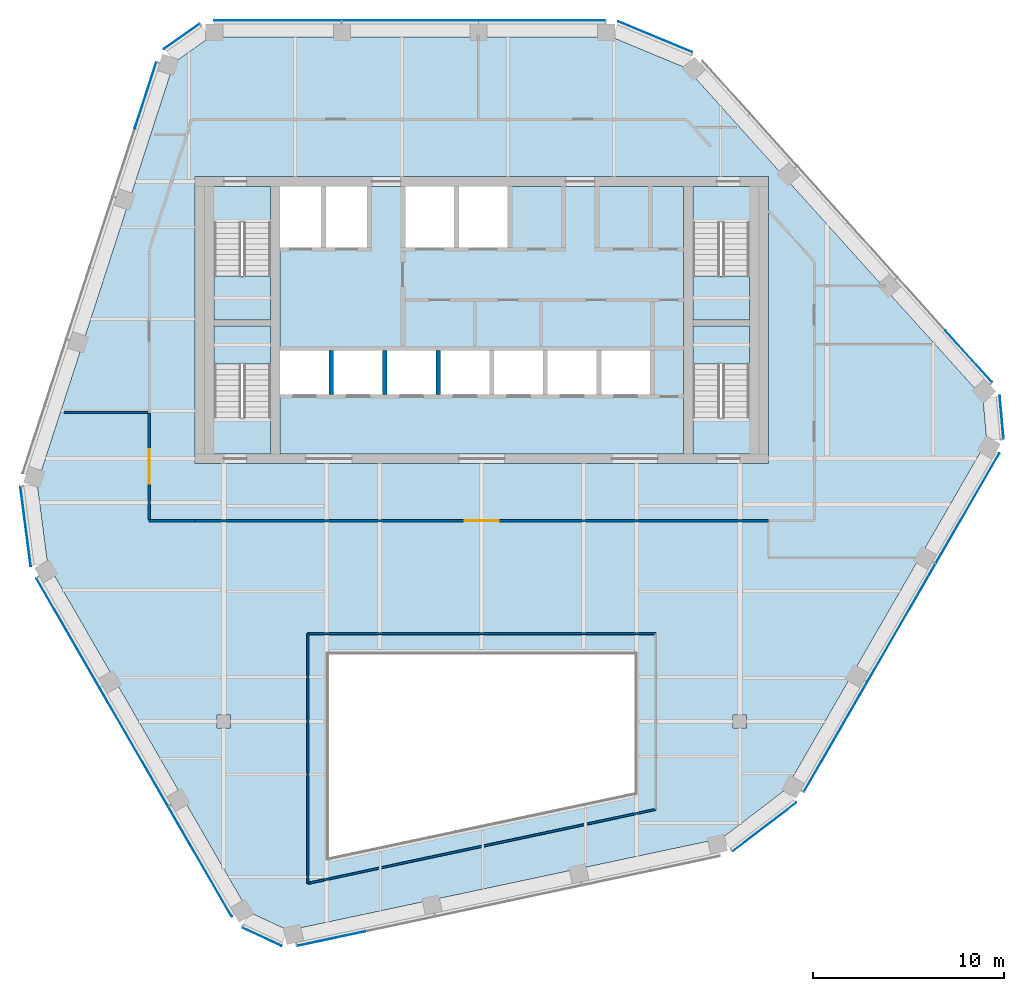
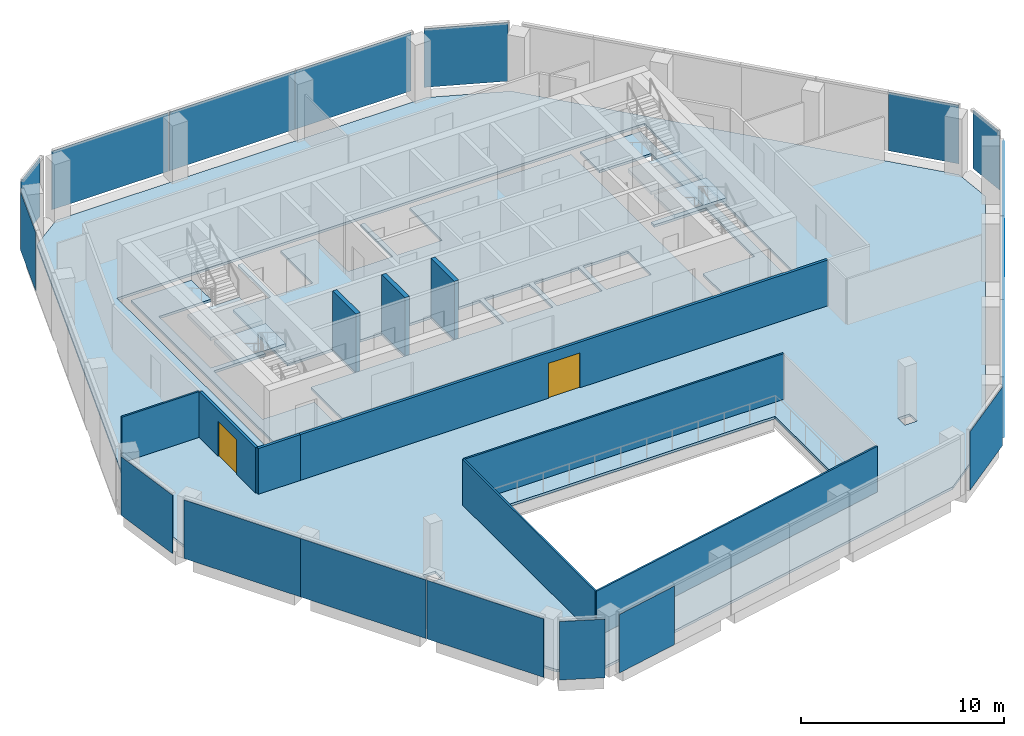
# One storey, part 7 of 15: 18 plates, 10 walls, 8 slabs, 2 doors, 2 openings, 16 elements without a shape of their own.
"""IFC4 building model written with IfcOpenShell, lengths in metres."""

from ifc_helpers import new_model, si_unit, direction, frame, frame_2d, origin, origin_2d, place, context, subcontext, project, spatial, polyline, rectangle, outline, extrude, material, layer, layer_set, type_object, element, fill, aggregate, save


model = new_model("IFC4")

# Units and contexts
model_context = context("Model", 3, precision=1e-05, world=origin(), true_north=direction((0.0, 1.0)))
body_context = subcontext(model_context, "Body", "Model", "MODEL_VIEW")
ifc_project = project(units=[si_unit("LENGTHUNIT", "METRE"), si_unit("AREAUNIT", "SQUARE_METRE"), si_unit("VOLUMEUNIT", "CUBIC_METRE"), si_unit("PLANEANGLEUNIT", "RADIAN"), si_unit("MASSUNIT", "GRAM", prefix="KILO")], contexts=[model_context])

# Site, building, storey
site_placement = place(None, origin())
site = spatial("IfcSite", under=ifc_project, at=site_placement, CompositionType="ELEMENT")
building_placement = place(site_placement, origin())
building = spatial("IfcBuilding", under=site, at=building_placement, Name="Isthmus Gate Tower", CompositionType="ELEMENT")
storey_placement = place(building_placement, frame((0.0, 0.0, 268.25)))
storey = spatial("IfcBuildingStorey", under=building, at=storey_placement, Name="L68", CompositionType="ELEMENT", Elevation=268.25)

# Slabs
ifc_material_1 = material(Name="Concrete f'c 40 MPa", Category="concrete")
ifc_layer_1 = layer(ifc_material_1, 0.14990234375)
ifc_layer_set_1 = layer_set([ifc_layer_1], Name="COMPOSITE FLOOR SLAB 150")
slab_type_1 = type_object("IfcSlabType", Name="COMPOSITE FLOOR SLAB 150", PredefinedType="FLOOR", material=ifc_layer_set_1)
slab_1_placement = place(storey_placement, frame((0.0, 0.0, -0.14990234375)))
element("IfcSlab", 1, at=slab_1_placement, inside=storey, type_object=slab_type_1, Name="str-slab-L68-1", PredefinedType="FLOOR", context=body_context, shape_type="SweptSolid", body=[
    extrude(outline(polyline([(10.7080078125, 20.68310546875), (26.218017578125, 3.45751953125), (26.423583984375, 1.1669921875), (15.902587890625, -17.055908203125), (12.55810546875, -19.614990234375), (-10.11474609375, -24.434326171875), (-12.201171875, -23.467041015625), (-22.72216796875, -5.243896484375), (-23.26611328125, -1.068115234375), (-16.103515625, 20.976806640625), (-14.22265625, 22.300048828125), (6.819580078125, 22.300048828125), (10.7080078125, 20.68310546875)]), holes=[polyline([(-8.0, -10.0), (-8.0, -20.611083984375), (8.0, -17.210205078125), (8.0, -10.0), (-8.0, -10.0)]), polyline([(-13.85009765625, -13.14990234375), (-13.85009765625, -13.85009765625), (-13.14990234375, -13.85009765625), (-13.14990234375, -13.14990234375), (-13.85009765625, -13.14990234375)]), polyline([(13.14990234375, -13.14990234375), (13.14990234375, -13.85009765625), (13.85009765625, -13.85009765625), (13.85009765625, -13.14990234375), (13.14990234375, -13.14990234375)]), polyline([(-15.0, 0.0), (15.0, 0.0), (15.0, 15.0), (-15.0, 15.0), (-15.0, 0.0)])]), origin(), (0.0, 0.0, 1.0), 0.14990234375),
])
ifc_material_2 = material(Name="Concrete f'c 40 MPa", Category="concrete")
ifc_layer_2 = layer(ifc_material_2, 0.14990234375)
ifc_layer_set_2 = layer_set([ifc_layer_2], Name="CORE FLOOR SLAB 150")
slab_type_2 = type_object("IfcSlabType", Name="CORE FLOOR SLAB 150", PredefinedType="FLOOR", material=ifc_layer_set_2)
slab_2_placement = place(storey_placement, frame((0.0, 0.0, -0.14990234375)))
element("IfcSlab", 2, at=slab_2_placement, inside=storey, type_object=slab_type_2, Name="L68 core floor", PredefinedType="FLOOR", context=body_context, shape_type="SweptSolid", body=[
    extrude(outline(polyline([(-11.050048828125, 0.5), (-11.050048828125, 2.402099609375), (-14.0, 2.402099609375), (-14.0, 7.199951171875), (-11.050048828125, 7.199951171875), (-11.050048828125, 7.5), (-14.0, 7.5), (-14.0, 12.597900390625), (-11.050048828125, 12.597900390625), (-11.050048828125, 14.5), (-14.5, 14.5), (-14.5, 0.5), (-11.050048828125, 0.5)])), origin(), (0.0, 0.0, 1.0), 0.14990234375),
])
slab_3_placement = place(storey_placement, frame((0.0, 0.0, -0.14990234375)))
element("IfcSlab", 3, at=slab_3_placement, inside=storey, type_object=slab_type_2, Name="L68 core floor", PredefinedType="FLOOR", context=body_context, shape_type="SweptSolid", body=[
    extrude(outline(polyline([(10.550048828125, 14.5), (1.35009765625, 14.5), (1.35009765625, 11.300048828125), (-1.199951171875, 11.300048828125), (-1.199951171875, 14.5), (-1.449951171875, 14.5), (-1.449951171875, 11.300048828125), (-4.0, 11.300048828125), (-4.0, 14.5), (-6.0, 14.5), (-6.0, 11.300048828125), (-8.14990234375, 11.300048828125), (-8.14990234375, 14.5), (-8.39990234375, 14.5), (-8.39990234375, 11.300048828125), (-10.550048828125, 11.300048828125), (-10.550048828125, 5.89990234375), (-8.0, 5.89990234375), (-8.0, 3.60009765625), (-10.550048828125, 3.60009765625), (-10.550048828125, 0.5), (10.550048828125, 0.5), (10.550048828125, 14.5)]), holes=[polyline([(-5.199951171875, 5.89990234375), (-5.199951171875, 3.60009765625), (-7.75, 3.60009765625), (-7.75, 5.89990234375), (-5.199951171875, 5.89990234375)]), polyline([(-2.39990234375, 5.89990234375), (-2.39990234375, 3.60009765625), (-4.949951171875, 3.60009765625), (-4.949951171875, 5.89990234375), (-2.39990234375, 5.89990234375)]), polyline([(0.39990234375, 5.89990234375), (0.39990234375, 3.60009765625), (-2.14990234375, 3.60009765625), (-2.14990234375, 5.89990234375), (0.39990234375, 5.89990234375)]), polyline([(3.199951171875, 5.89990234375), (3.199951171875, 3.60009765625), (0.64990234375, 3.60009765625), (0.64990234375, 5.89990234375), (3.199951171875, 5.89990234375)]), polyline([(6.0, 5.89990234375), (6.0, 3.60009765625), (3.449951171875, 3.60009765625), (3.449951171875, 5.89990234375), (6.0, 5.89990234375)]), polyline([(8.800048828125, 5.89990234375), (8.800048828125, 3.60009765625), (6.25, 3.60009765625), (6.25, 5.89990234375), (8.800048828125, 5.89990234375)])]), origin(), (0.0, 0.0, 1.0), 0.14990234375),
])
slab_4_placement = place(storey_placement, frame((0.0, 0.0, -0.14990234375)))
element("IfcSlab", 4, at=slab_4_placement, inside=storey, type_object=slab_type_2, Name="L68 core floor", PredefinedType="FLOOR", context=body_context, shape_type="SweptSolid", body=[
    extrude(outline(polyline([(11.050048828125, 14.5), (11.050048828125, 12.597900390625), (14.0, 12.597900390625), (14.0, 7.5), (11.050048828125, 7.5), (11.050048828125, 7.199951171875), (14.0, 7.199951171875), (14.0, 2.402099609375), (11.050048828125, 2.402099609375), (11.050048828125, 0.5), (14.5, 0.5), (14.5, 14.5), (11.050048828125, 14.5)])), origin(), (0.0, 0.0, 1.0), 0.14990234375),
])

# Curtain wall, plates
ifc_material_3 = material(Name="Aluminium, pale champagne anodised", Category="aluminium")
ifc_layer_3 = layer(ifc_material_3, 0.199951171875)
ifc_layer_set_3 = layer_set([ifc_layer_3], Name="CW-1 UNITISED CURTAIN WALL 200 DEEP")
curtain_wall_type = type_object("IfcCurtainWallType", Name="CW-1 UNITISED CURTAIN WALL 200 DEEP", PredefinedType="NOTDEFINED", material=ifc_layer_set_3)
curtain_wall_1_placement = place(storey_placement, origin())
curtain_wall_1 = element("IfcCurtainWall", 5, at=curtain_wall_1_placement, inside=storey, type_object=curtain_wall_type, Name="CW-1 N L68", PredefinedType="NOTDEFINED")
ifc_material_4 = material(Name="Laminated low-iron glass, pale blue tint", Category="glass")
ifc_layer_4 = layer(ifc_material_4, 0.031982421875)
ifc_layer_set_4 = layer_set([ifc_layer_4], Name="CW-1 CLEAR GLASS LITE 32")
plate_type = type_object("IfcPlateType", Name="CW-1 CLEAR GLASS LITE 32", PredefinedType="CURTAIN_PANEL", material=ifc_layer_set_4)
plate_1_placement = place(storey_placement, frame((3.13720703125, 23.18408203125, 0.0), z_axis=(0.0, 0.0, 1.0), x_axis=(-1.0, 0.0, 0.0)))
plate_1 = element("IfcPlate", 6, at=plate_1_placement, type_object=plate_type, Name="CW-1 glass lite", PredefinedType="CURTAIN_PANEL", context=body_context, shape_type="SweptSolid", body=[
    extrude(rectangle(XDim=6.62451171875, YDim=0.031982421875, at=origin_2d()), origin(), (0.0, 0.0, 1.0), 3.52001953125),
])
plate_2_placement = place(storey_placement, frame((-3.742431640625, 23.18408203125, 0.0), z_axis=(0.0, 0.0, 1.0), x_axis=(-1.0, 0.0, 0.0)))
plate_2 = element("IfcPlate", 7, at=plate_2_placement, type_object=plate_type, Name="CW-1 glass lite", PredefinedType="CURTAIN_PANEL", context=body_context, shape_type="SweptSolid", body=[
    extrude(rectangle(XDim=7.134521484375, YDim=0.031982421875, at=origin_2d()), origin(), (0.0, 0.0, 1.0), 3.52001953125),
])
plate_3_placement = place(storey_placement, frame((-10.681884765625, 23.18408203125, 0.0), z_axis=(0.0, 0.0, 1.0), x_axis=(-1.0, 0.0, 0.0)))
plate_3 = element("IfcPlate", 8, at=plate_3_placement, type_object=plate_type, Name="CW-1 glass lite", PredefinedType="CURTAIN_PANEL", context=body_context, shape_type="SweptSolid", body=[
    extrude(rectangle(XDim=6.62451171875, YDim=0.031982421875, at=origin_2d()), origin(), (0.0, 0.0, 1.0), 3.52001953125),
])
aggregate(curtain_wall_1, [plate_1, plate_2, plate_3])

# Curtain wall, plate
curtain_wall_2_placement = place(storey_placement, origin())
curtain_wall_2 = element("IfcCurtainWall", 9, at=curtain_wall_2_placement, inside=storey, type_object=curtain_wall_type, Name="CW-1 N-NW L68", PredefinedType="NOTDEFINED")
plate_4_placement = place(storey_placement, frame((-15.6953125, 22.3447265625, 0.0), z_axis=(0.0, 0.0, 1.0), x_axis=(-0.81785959165, -0.57541783805, 0.0)))
plate_4 = element("IfcPlate", 10, at=plate_4_placement, type_object=plate_type, Name="CW-1 glass lite", PredefinedType="CURTAIN_PANEL", context=body_context, shape_type="SweptSolid", body=[
    extrude(rectangle(XDim=2.258544921875, YDim=0.031982421875, at=origin_2d()), origin(), (0.0, 0.0, 1.0), 3.52001953125),
])
aggregate(curtain_wall_2, [plate_4])

curtain_wall_3_placement = place(storey_placement, origin())
curtain_wall_3 = element("IfcCurtainWall", 11, at=curtain_wall_3_placement, inside=storey, type_object=curtain_wall_type, Name="CW-1 NW L68", PredefinedType="NOTDEFINED")
plate_5_placement = place(storey_placement, frame((-17.592529296875, 19.254150390625, 0.0), z_axis=(0.0, 0.0, 1.0), x_axis=(-0.309016994375, -0.951056516295, 0.0)))
plate_5 = element("IfcPlate", 12, at=plate_5_placement, type_object=plate_type, Name="CW-1 glass lite", PredefinedType="CURTAIN_PANEL", context=body_context, shape_type="SweptSolid", body=[
    extrude(rectangle(XDim=3.643310546875, YDim=0.031982421875, at=origin_2d()), origin(), (0.0, 0.0, 1.0), 3.52001953125),
])
aggregate(curtain_wall_3, [plate_5])

curtain_wall_4_placement = place(storey_placement, origin())
curtain_wall_4 = element("IfcCurtainWall", 13, at=curtain_wall_4_placement, inside=storey, type_object=curtain_wall_type, Name="CW-1 NW-SW L68", PredefinedType="NOTDEFINED")
plate_6_placement = place(storey_placement, frame((-23.866943359375, -3.2998046875, 0.0), z_axis=(0.0, 0.0, 1.0), x_axis=(0.129164534, -0.991623175988, 0.0)))
plate_6 = element("IfcPlate", 14, at=plate_6_placement, type_object=plate_type, Name="CW-1 glass lite", PredefinedType="CURTAIN_PANEL", context=body_context, shape_type="SweptSolid", body=[
    extrude(rectangle(XDim=4.181396484375, YDim=0.031982421875, at=origin_2d()), origin(), (0.0, 0.0, 1.0), 3.52001953125),
])
aggregate(curtain_wall_4, [plate_6])

# Curtain wall, plates
curtain_wall_5_placement = place(storey_placement, origin())
curtain_wall_5 = element("IfcCurtainWall", 15, at=curtain_wall_5_placement, inside=storey, type_object=curtain_wall_type, Name="CW-1 SW L68", PredefinedType="NOTDEFINED")
plate_7_placement = place(storey_placement, frame((-21.646484375, -8.875244140625, 0.0), z_axis=(0.0, 0.0, 1.0), x_axis=(0.5, -0.866025403784, 0.0)))
plate_7 = element("IfcPlate", 16, at=plate_7_placement, type_object=plate_type, Name="CW-1 glass lite", PredefinedType="CURTAIN_PANEL", context=body_context, shape_type="SweptSolid", body=[
    extrude(rectangle(XDim=6.62451171875, YDim=0.031982421875, at=origin_2d()), origin(), (0.0, 0.0, 1.0), 3.52001953125),
])
plate_8_placement = place(storey_placement, frame((-18.206787109375, -14.8330078125, 0.0), z_axis=(0.0, 0.0, 1.0), x_axis=(0.5, -0.866025403784, 0.0)))
plate_8 = element("IfcPlate", 17, at=plate_8_placement, type_object=plate_type, Name="CW-1 glass lite", PredefinedType="CURTAIN_PANEL", context=body_context, shape_type="SweptSolid", body=[
    extrude(rectangle(XDim=7.134521484375, YDim=0.031982421875, at=origin_2d()), origin(), (0.0, 0.0, 1.0), 3.52001953125),
])
plate_9_placement = place(storey_placement, frame((-14.737060546875, -20.8427734375, 0.0), z_axis=(0.0, 0.0, 1.0), x_axis=(0.5, -0.866025403784, 0.0)))
plate_9 = element("IfcPlate", 18, at=plate_9_placement, type_object=plate_type, Name="CW-1 glass lite", PredefinedType="CURTAIN_PANEL", context=body_context, shape_type="SweptSolid", body=[
    extrude(rectangle(XDim=6.62451171875, YDim=0.031982421875, at=origin_2d()), origin(), (0.0, 0.0, 1.0), 3.52001953125),
])
aggregate(curtain_wall_5, [plate_7, plate_8, plate_9])

# Curtain wall, plate
curtain_wall_6_placement = place(storey_placement, origin())
curtain_wall_6 = element("IfcCurtainWall", 19, at=curtain_wall_6_placement, inside=storey, type_object=curtain_wall_type, Name="CW-1 SW-S L68", PredefinedType="NOTDEFINED")
plate_10_placement = place(storey_placement, frame((-11.50341796875, -24.764892578125, 0.0), z_axis=(0.0, 0.0, 1.0), x_axis=(0.907256261367, -0.420578264073, 0.0)))
plate_10 = element("IfcPlate", 20, at=plate_10_placement, type_object=plate_type, Name="CW-1 glass lite", PredefinedType="CURTAIN_PANEL", context=body_context, shape_type="SweptSolid", body=[
    extrude(rectangle(XDim=2.258544921875, YDim=0.031982421875, at=origin_2d()), origin(), (0.0, 0.0, 1.0), 3.52001953125),
])
aggregate(curtain_wall_6, [plate_10])

curtain_wall_7_placement = place(storey_placement, origin())
curtain_wall_7 = element("IfcCurtainWall", 21, at=curtain_wall_7_placement, inside=storey, type_object=curtain_wall_type, Name="CW-1 S L68", PredefinedType="NOTDEFINED")
plate_11_placement = place(storey_placement, frame((-7.87841796875, -24.86279296875, 0.0), z_axis=(0.0, 0.0, 1.0), x_axis=(0.978147600734, 0.207911690818, 0.0)))
plate_11 = element("IfcPlate", 22, at=plate_11_placement, type_object=plate_type, Name="CW-1 glass lite", PredefinedType="CURTAIN_PANEL", context=body_context, shape_type="SweptSolid", body=[
    extrude(rectangle(XDim=3.643310546875, YDim=0.031982421875, at=origin_2d()), origin(), (0.0, 0.0, 1.0), 3.52001953125),
])
aggregate(curtain_wall_7, [plate_11])

curtain_wall_8_placement = place(storey_placement, origin())
curtain_wall_8 = element("IfcCurtainWall", 23, at=curtain_wall_8_placement, inside=storey, type_object=curtain_wall_type, Name="CW-1 S-SE L68", PredefinedType="NOTDEFINED")
plate_12_placement = place(storey_placement, frame((14.791259765625, -19.01953125, 0.0), z_axis=(0.0, 0.0, 1.0), x_axis=(0.794188594387, 0.607671355706, 0.0)))
plate_12 = element("IfcPlate", 24, at=plate_12_placement, type_object=plate_type, Name="CW-1 glass lite", PredefinedType="CURTAIN_PANEL", context=body_context, shape_type="SweptSolid", body=[
    extrude(rectangle(XDim=4.181396484375, YDim=0.031982421875, at=origin_2d()), origin(), (0.0, 0.0, 1.0), 3.52001953125),
])
aggregate(curtain_wall_8, [plate_12])

# Curtain wall, plates
curtain_wall_9_placement = place(storey_placement, origin())
curtain_wall_9 = element("IfcCurtainWall", 25, at=curtain_wall_9_placement, inside=storey, type_object=curtain_wall_type, Name="CW-1 SE L68", PredefinedType="NOTDEFINED")
plate_13_placement = place(storey_placement, frame((18.50927734375, -14.308837890625, 0.0), z_axis=(0.0, 0.0, 1.0), x_axis=(0.5, 0.866025403784, 0.0)))
plate_13 = element("IfcPlate", 26, at=plate_13_placement, type_object=plate_type, Name="CW-1 glass lite", PredefinedType="CURTAIN_PANEL", context=body_context, shape_type="SweptSolid", body=[
    extrude(rectangle(XDim=6.62451171875, YDim=0.031982421875, at=origin_2d()), origin(), (0.0, 0.0, 1.0), 3.52001953125),
])
plate_14_placement = place(storey_placement, frame((21.94921875, -8.35107421875, 0.0), z_axis=(0.0, 0.0, 1.0), x_axis=(0.5, 0.866025403784, 0.0)))
plate_14 = element("IfcPlate", 27, at=plate_14_placement, type_object=plate_type, Name="CW-1 glass lite", PredefinedType="CURTAIN_PANEL", context=body_context, shape_type="SweptSolid", body=[
    extrude(rectangle(XDim=7.134521484375, YDim=0.031982421875, at=origin_2d()), origin(), (0.0, 0.0, 1.0), 3.52001953125),
])
plate_15_placement = place(storey_placement, frame((25.4189453125, -2.34130859375, 0.0), z_axis=(0.0, 0.0, 1.0), x_axis=(0.5, 0.866025403784, 0.0)))
plate_15 = element("IfcPlate", 28, at=plate_15_placement, type_object=plate_type, Name="CW-1 glass lite", PredefinedType="CURTAIN_PANEL", context=body_context, shape_type="SweptSolid", body=[
    extrude(rectangle(XDim=6.62451171875, YDim=0.031982421875, at=origin_2d()), origin(), (0.0, 0.0, 1.0), 3.52001953125),
])
aggregate(curtain_wall_9, [plate_13, plate_14, plate_15])

# Curtain wall, plate
curtain_wall_10_placement = place(storey_placement, origin())
curtain_wall_10 = element("IfcCurtainWall", 29, at=curtain_wall_10_placement, inside=storey, type_object=curtain_wall_type, Name="CW-1 SE-NE L68", PredefinedType="NOTDEFINED")
plate_16_placement = place(storey_placement, frame((27.19873046875, 2.420166015625, 0.0), z_axis=(0.0, 0.0, 1.0), x_axis=(-0.089396669717, 0.995996102123, 0.0)))
plate_16 = element("IfcPlate", 30, at=plate_16_placement, type_object=plate_type, Name="CW-1 glass lite", PredefinedType="CURTAIN_PANEL", context=body_context, shape_type="SweptSolid", body=[
    extrude(rectangle(XDim=2.258544921875, YDim=0.031982421875, at=origin_2d()), origin(), (0.0, 0.0, 1.0), 3.52001953125),
])
aggregate(curtain_wall_10, [plate_16])

curtain_wall_11_placement = place(storey_placement, origin())
curtain_wall_11 = element("IfcCurtainWall", 31, at=curtain_wall_11_placement, inside=storey, type_object=curtain_wall_type, Name="CW-1 NE L68", PredefinedType="NOTDEFINED")
plate_17_placement = place(storey_placement, frame((25.470947265625, 5.6083984375, 0.0), z_axis=(0.0, 0.0, 1.0), x_axis=(-0.669130606359, 0.743144825477, 0.0)))
plate_17 = element("IfcPlate", 32, at=plate_17_placement, type_object=plate_type, Name="CW-1 glass lite", PredefinedType="CURTAIN_PANEL", context=body_context, shape_type="SweptSolid", body=[
    extrude(rectangle(XDim=3.643310546875, YDim=0.031982421875, at=origin_2d()), origin(), (0.0, 0.0, 1.0), 3.52001953125),
])
aggregate(curtain_wall_11, [plate_17])

curtain_wall_12_placement = place(storey_placement, origin())
curtain_wall_12 = element("IfcCurtainWall", 33, at=curtain_wall_12_placement, inside=storey, type_object=curtain_wall_type, Name="CW-1 NE-N L68", PredefinedType="NOTDEFINED")
plate_18_placement = place(storey_placement, frame((9.07568359375, 22.3193359375, 0.0), z_axis=(0.0, 0.0, 1.0), x_axis=(-0.923353128387, 0.383951820282, 0.0)))
plate_18 = element("IfcPlate", 34, at=plate_18_placement, type_object=plate_type, Name="CW-1 glass lite", PredefinedType="CURTAIN_PANEL", context=body_context, shape_type="SweptSolid", body=[
    extrude(rectangle(XDim=4.181396484375, YDim=0.031982421875, at=origin_2d()), origin(), (0.0, 0.0, 1.0), 3.52001953125),
])
aggregate(curtain_wall_12, [plate_18])

# Stair, slab
ifc_material_5 = material(Name="Concrete f'c 40 MPa", Category="concrete")
stair_type = type_object("IfcStairType", Name="CORE STAIR 22 RISERS", PredefinedType="HALF_TURN_STAIR", material=ifc_material_5)
stair_1_placement = place(storey_placement, origin())
stair_1 = element("IfcStair", 35, at=stair_1_placement, inside=storey, type_object=stair_type, Name="L68 Exit Stair 1", PredefinedType="HALF_TURN_STAIR")
ifc_material_6 = material(Name="Concrete f'c 40 MPa", Category="concrete")
ifc_layer_5 = layer(ifc_material_6, 0.199951171875)
ifc_layer_set_5 = layer_set([ifc_layer_5])
slab_type_3 = type_object("IfcSlabType", Name="STAIR LANDING RC 200", PredefinedType="LANDING", material=ifc_layer_set_5)
slab_5_placement = place(storey_placement, frame((0.0, 0.0, 1.625)))
slab_5 = element("IfcSlab", 36, at=slab_5_placement, type_object=slab_type_3, Name="ST1 landing 1", PredefinedType="LANDING", context=body_context, shape_type="SweptSolid", body=[
    extrude(outline(polyline([(-14.0, 9.800048828125), (-14.0, 7.5), (-11.050048828125, 7.5), (-11.050048828125, 9.800048828125), (-14.0, 9.800048828125)])), origin(), (0.0, 0.0, 1.0), 0.199951171875),
])
aggregate(stair_1, [slab_5])

stair_2_placement = place(storey_placement, origin())
stair_2 = element("IfcStair", 37, at=stair_2_placement, inside=storey, type_object=stair_type, Name="L68 Exit Stair 2", PredefinedType="HALF_TURN_STAIR")
slab_6_placement = place(storey_placement, frame((0.0, 0.0, 1.625)))
slab_6 = element("IfcSlab", 38, at=slab_6_placement, type_object=slab_type_3, Name="ST2 landing 1", PredefinedType="LANDING", context=body_context, shape_type="SweptSolid", body=[
    extrude(outline(polyline([(11.050048828125, 9.800048828125), (11.050048828125, 7.5), (14.0, 7.5), (14.0, 9.800048828125), (11.050048828125, 9.800048828125)])), origin(), (0.0, 0.0, 1.0), 0.199951171875),
])
aggregate(stair_2, [slab_6])

stair_3_placement = place(storey_placement, origin())
stair_3 = element("IfcStair", 39, at=stair_3_placement, inside=storey, type_object=stair_type, Name="L68 Exit Stair 7", PredefinedType="HALF_TURN_STAIR")
slab_7_placement = place(storey_placement, frame((0.0, 0.0, 1.625)))
slab_7 = element("IfcSlab", 40, at=slab_7_placement, type_object=slab_type_3, Name="ST7 landing 1", PredefinedType="LANDING", context=body_context, shape_type="SweptSolid", body=[
    extrude(outline(polyline([(-11.050048828125, 5.199951171875), (-11.050048828125, 7.199951171875), (-14.0, 7.199951171875), (-14.0, 5.199951171875), (-11.050048828125, 5.199951171875)])), origin(), (0.0, 0.0, 1.0), 0.199951171875),
])
aggregate(stair_3, [slab_7])

stair_4_placement = place(storey_placement, origin())
stair_4 = element("IfcStair", 41, at=stair_4_placement, inside=storey, type_object=stair_type, Name="L68 Exit Stair 8", PredefinedType="HALF_TURN_STAIR")
slab_8_placement = place(storey_placement, frame((0.0, 0.0, 1.625)))
slab_8 = element("IfcSlab", 42, at=slab_8_placement, type_object=slab_type_3, Name="ST8 landing 1", PredefinedType="LANDING", context=body_context, shape_type="SweptSolid", body=[
    extrude(outline(polyline([(14.0, 5.199951171875), (14.0, 7.199951171875), (11.050048828125, 7.199951171875), (11.050048828125, 5.199951171875), (14.0, 5.199951171875)])), origin(), (0.0, 0.0, 1.0), 0.199951171875),
])
aggregate(stair_4, [slab_8])

# Walls
ifc_material_7 = material(Name="Fire-rated laminated glass in steel frame", Category="steel")
ifc_layer_6 = layer(ifc_material_7, 0.10009765625)
ifc_layer_set_6 = layer_set([ifc_layer_6], Name="ATRIUM SCREEN GLAZED WALL 100 120 MIN")
wall_type_1 = type_object("IfcWallType", Name="ATRIUM SCREEN GLAZED WALL 100 120 MIN", PredefinedType="PARTITIONING", material=ifc_layer_set_6)
wall_1_placement = place(storey_placement, frame((-9.10009765625, -8.89990234375, 0.0), z_axis=(0.0, 0.0, 1.0), x_axis=(1.0, 0.0, 0.0)))
element("IfcWall", 43, at=wall_1_placement, inside=storey, type_object=wall_type_1, Name="L68 atrium screen", PredefinedType="PARTITIONING", context=body_context, shape_type="SweptSolid", body=[
    extrude(rectangle(XDim=18.2001953125, YDim=0.10009765625, at=frame_2d((9.10009765625, 0.0))), origin(), (0.0, 0.0, 1.0), 2.750732421875),
])
wall_2_placement = place(storey_placement, frame((9.10009765625, -18.100830078125, 0.0), z_axis=(0.0, 0.0, 1.0), x_axis=(-0.978146710971, -0.207915876778, 0.0)))
element("IfcWall", 44, at=wall_2_placement, inside=storey, type_object=wall_type_1, Name="L68 atrium screen", PredefinedType="PARTITIONING", context=body_context, shape_type="SweptSolid", body=[
    extrude(rectangle(XDim=18.60693359375, YDim=0.10009765625, at=frame_2d((9.303466796875, 0.0))), origin(), (0.0, 0.0, 1.0), 2.750732421875),
])
wall_3_placement = place(storey_placement, frame((-9.10009765625, -21.969482421875, 0.0), z_axis=(0.0, 0.0, 1.0), x_axis=(0.0, 1.0, 0.0)))
element("IfcWall", 45, at=wall_3_placement, inside=storey, type_object=wall_type_1, Name="L68 atrium screen", PredefinedType="PARTITIONING", context=body_context, shape_type="SweptSolid", body=[
    extrude(rectangle(XDim=13.069580078125, YDim=0.10009765625, at=frame_2d((6.53466796875, 0.0))), origin(), (0.0, 0.0, 1.0), 2.750732421875),
])

# Wall, opening, door
ifc_material_8 = material(Name="Gypsum board on steel studs, fire-rated", Category="steel")
ifc_layer_7 = layer(ifc_material_8, 0.14990234375)
ifc_layer_set_7 = layer_set([ifc_layer_7], Name="CORRIDOR WALL 150 60 MIN")
wall_type_2 = type_object("IfcWallType", Name="CORRIDOR WALL 150 60 MIN", PredefinedType="PARTITIONING", material=ifc_layer_set_7)
wall_4_placement = place(storey_placement, frame((15.0, -3.0, 0.0), z_axis=(0.0, 0.0, 1.0), x_axis=(-1.0, 0.0, 0.0)))
wall_4 = element("IfcWall", 46, at=wall_4_placement, inside=storey, type_object=wall_type_2, Name="L68 Corridor Wall 150 60 Min", PredefinedType="PARTITIONING", context=body_context, shape_type="SweptSolid", body=[
    extrude(rectangle(XDim=30.0, YDim=0.14990234375, at=frame_2d((15.0, 0.0))), origin(), (0.0, 0.0, 1.0), 2.750732421875),
])
opening_1_placement = place(wall_4_placement, frame((14.10009765625, 0.0, 0.0)))
opening_1 = element("IfcOpeningElement", 47, at=opening_1_placement, cuts=wall_4, Name="Opening DT-T6A-07", PredefinedType="OPENING", context=body_context, shape_type="SweptSolid", body=[
    extrude(rectangle(XDim=1.800048828125, YDim=2.10009765625, at=frame_2d((0.89990234375, 1.050048828125))), frame((0.0, 0.0849609375, 0.0), z_axis=(0.0, -1.0, 0.0), x_axis=(1.0, 0.0, 0.0)), (0.0, 0.0, 1.0), 0.169921875),
])
ifc_material_9 = material(Name="Solid core timber door leaf, fire-rated", Category="wood")
door_type = type_object("IfcDoorType", Name="FIRE DOOR ROOM 1800 X 2100 60 MIN", OperationType="DOUBLE_DOOR_DOUBLE_SWING", PredefinedType="DOOR", material=ifc_material_9)
door_1_placement = place(opening_1_placement, origin())
door_1 = element("IfcDoor", 48, at=door_1_placement, inside=storey, type_object=door_type, Name="L68 room door", OperationType="DOUBLE_DOOR_DOUBLE_SWING", OverallHeight=2.10009765625, OverallWidth=1.800048828125, PredefinedType="DOOR", context=body_context, shape_type="SweptSolid", body=[
    extrude(rectangle(XDim=1.800048828125, YDim=2.10009765625, at=frame_2d((0.89990234375, 1.050048828125))), frame((0.0, 0.02490234375, 0.0), z_axis=(0.0, -1.0, 0.0), x_axis=(1.0, 0.0, 0.0)), (0.0, 0.0, 1.0), 0.050048828125),
])
fill(opening_1, door_1)

# Wall
wall_5_placement = place(storey_placement, frame((-15.0, -3.0, 0.0), z_axis=(0.0, 0.0, 1.0), x_axis=(-1.0, 0.0, 0.0)))
element("IfcWall", 49, at=wall_5_placement, inside=storey, type_object=wall_type_2, Name="L68 Corridor Wall 150 60 Min", PredefinedType="PARTITIONING", context=body_context, shape_type="SweptSolid", body=[
    extrude(rectangle(XDim=2.39990234375, YDim=0.14990234375, at=frame_2d((1.199951171875, 0.0))), origin(), (0.0, 0.0, 1.0), 2.750732421875),
])

# Wall, opening, door
wall_6_placement = place(storey_placement, frame((-17.39990234375, -2.925048828125, 0.0), z_axis=(0.0, 0.0, 1.0), x_axis=(0.0, 1.0, 0.0)))
wall_6 = element("IfcWall", 50, at=wall_6_placement, inside=storey, type_object=wall_type_2, Name="L68 Corridor Wall 150 60 Min", PredefinedType="PARTITIONING", context=body_context, shape_type="SweptSolid", body=[
    extrude(rectangle(XDim=5.545166015625, YDim=0.14990234375, at=frame_2d((2.7724609375, 0.0))), origin(), (0.0, 0.0, 1.0), 2.750732421875),
])
opening_2_placement = place(wall_6_placement, frame((1.87255859375, 0.0, 0.0)))
opening_2 = element("IfcOpeningElement", 51, at=opening_2_placement, cuts=wall_6, Name="Opening DT-T6A-08", PredefinedType="OPENING", context=body_context, shape_type="SweptSolid", body=[
    extrude(rectangle(XDim=1.800048828125, YDim=2.10009765625, at=frame_2d((0.89990234375, 1.050048828125))), frame((0.0, 0.0849609375, 0.0), z_axis=(0.0, -1.0, 0.0), x_axis=(1.0, 0.0, 0.0)), (0.0, 0.0, 1.0), 0.169921875),
])
door_2_placement = place(opening_2_placement, origin())
door_2 = element("IfcDoor", 52, at=door_2_placement, inside=storey, type_object=door_type, Name="L68 room door", OperationType="DOUBLE_DOOR_DOUBLE_SWING", OverallHeight=2.10009765625, OverallWidth=1.800048828125, PredefinedType="DOOR", context=body_context, shape_type="SweptSolid", body=[
    extrude(rectangle(XDim=1.800048828125, YDim=2.10009765625, at=frame_2d((0.89990234375, 1.050048828125))), frame((0.0, 0.02490234375, 0.0), z_axis=(0.0, -1.0, 0.0), x_axis=(1.0, 0.0, 0.0)), (0.0, 0.0, 1.0), 0.050048828125),
])
fill(opening_2, door_2)

# Walls
ifc_material_10 = material(Name="Gypsum board on steel studs, fire-rated", Category="steel")
ifc_layer_8 = layer(ifc_material_10, 0.10009765625)
ifc_layer_set_8 = layer_set([ifc_layer_8], Name="ROOM PARTITION 100 30 MIN")
wall_type_3 = type_object("IfcWallType", Name="ROOM PARTITION 100 30 MIN", PredefinedType="PARTITIONING", material=ifc_layer_set_8)
wall_7_placement = place(storey_placement, frame((-21.85693359375, 2.669921875, 0.0), z_axis=(0.0, 0.0, 1.0), x_axis=(1.0, 0.0, 0.0)))
element("IfcWall", 53, at=wall_7_placement, inside=storey, type_object=wall_type_3, Name="L68 Room Partition 100 30 Min", PredefinedType="PARTITIONING", context=body_context, shape_type="SweptSolid", body=[
    extrude(rectangle(XDim=4.3818359375, YDim=0.10009765625, at=frame_2d((2.19091796875, 0.0))), origin(), (0.0, 0.0, 1.0), 2.750732421875),
])
ifc_material_11 = material(Name="Fire-rated blockwork masonry, 15 MPa", Category="masonry")
ifc_layer_9 = layer(ifc_material_11, 0.25)
ifc_layer_set_9 = layer_set([ifc_layer_9], Name="SHAFT WALL 250 120 MIN")
wall_type_4 = type_object("IfcWallType", Name="SHAFT WALL 250 120 MIN", PredefinedType="PARTITIONING", material=ifc_layer_set_9)
for number, where, z_axis, x_axis, name in (
    (54, (-7.875, 3.60009765625, 0.0), (0.0, 0.0, 1.0), (0.0, 1.0, 0.0), "L68 SHAFT WALL 250 120 MIN"),
    (55, (-5.074951171875, 3.60009765625, 0.0), (0.0, 0.0, 1.0), (0.0, 1.0, 0.0), "L68 SHAFT WALL 250 120 MIN"),
    (56, (-2.27490234375, 3.60009765625, 0.0), (0.0, 0.0, 1.0), (0.0, 1.0, 0.0), "L68 SHAFT WALL 250 120 MIN"),
):
    element("IfcWall", number, at=place(storey_placement, frame(where, z_axis=z_axis, x_axis=x_axis)), inside=storey, type_object=wall_type_4, Name=name, PredefinedType="PARTITIONING", context=body_context, shape_type="SweptSolid", body=[
        extrude(rectangle(XDim=2.2998046875, YDim=0.25, at=frame_2d((1.14990234375, 0.0))), origin(), (0.0, 0.0, 1.0), 3.5),
    ])

save(model, "model.ifc")
